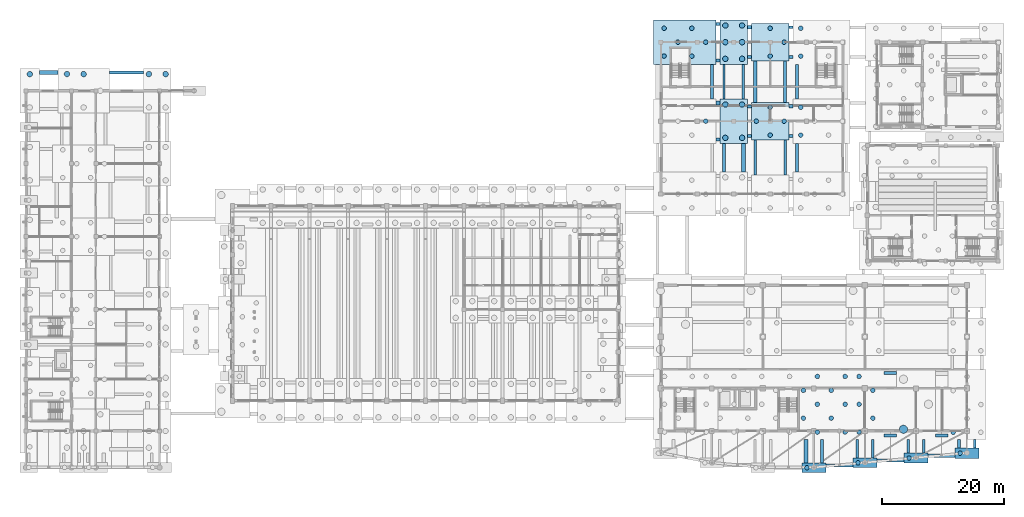
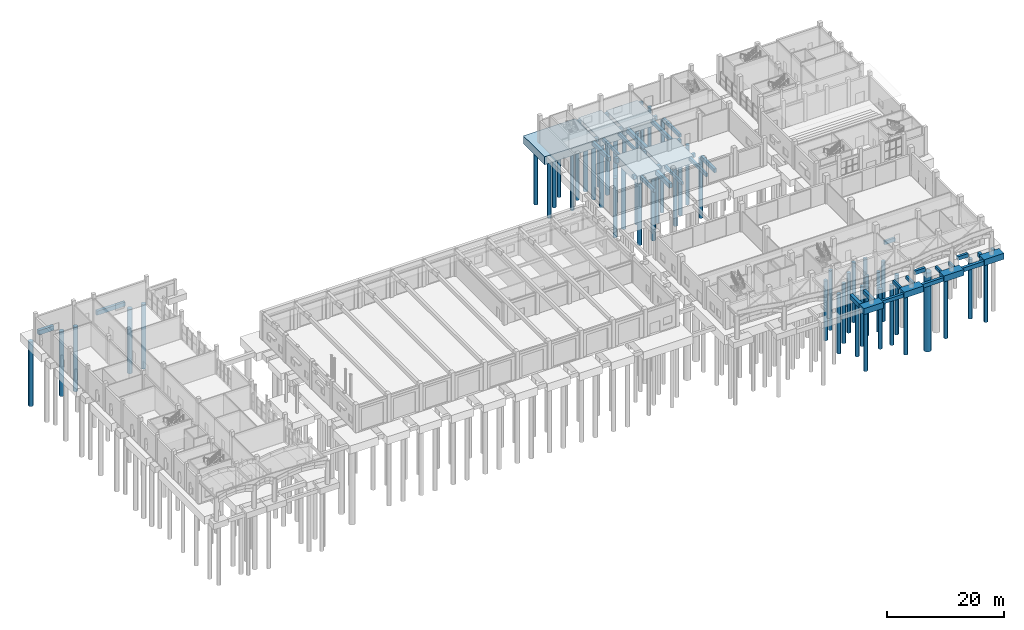
# One storey, part 6 of 60: 54 piles, 48 footings.
"""IFC4 building model written with IfcOpenShell, lengths in metres."""

from ifc_helpers import new_model, si_unit, direction, frame, origin, origin_2d, place, context, subcontext, project, spatial, rectangle, circle, extrude, material, material_profile, profile_set, type_object, element, save


model = new_model("IFC4")

# Units and contexts
model_context = context("Model", 3, precision=1e-05, world=origin(), true_north=direction((0.0, 1.0)))
body_context = subcontext(model_context, "Body", "Model", "MODEL_VIEW")
ifc_project = project(units=[si_unit("LENGTHUNIT", "METRE"), si_unit("AREAUNIT", "SQUARE_METRE"), si_unit("VOLUMEUNIT", "CUBIC_METRE"), si_unit("PLANEANGLEUNIT", "RADIAN"), si_unit("MASSUNIT", "GRAM", prefix="KILO")], contexts=[model_context])

# Site, building, storey
site_placement = place(None, origin())
site = spatial("IfcSite", under=ifc_project, at=site_placement, CompositionType="ELEMENT")
building_placement = place(site_placement, origin())
building = spatial("IfcBuilding", under=site, at=building_placement, Name="Trellovar Central Fire Station", CompositionType="ELEMENT")
storey_placement = place(building_placement, origin())
storey = spatial("IfcBuildingStorey", under=building, at=storey_placement, Name="L01", CompositionType="ELEMENT", Elevation=0.0)

# Footings
ifc_material_1 = material(Name="Concrete C35/45", Category="concrete")
footing_type_1 = type_object("IfcFootingType", Name="CAP-PC06", PredefinedType="PILE_CAP", material=ifc_material_1)
for number, where, z_axis, x_axis, name in (
    (1, (130.699951171875, 2.955078125, -1.25), (0.0, 0.0, 1.0), (1.0, 0.0, 0.0), "Pile cap PC-06 at (130.7, 3.0)"),
    (2, (139.10009765625, 3.7548828125, -1.25), (0.0, 0.0, 1.0), (1.0, 0.0, 0.0), "Pile cap PC-06 at (139.1, 3.8)"),
    (3, (147.5, 4.554931640625, -1.25), (0.0, 0.0, 1.0), (1.0, 0.0, 0.0), "Pile cap PC-06 at (147.5, 4.6)"),
):
    element("IfcFooting", number, at=place(storey_placement, frame(where, z_axis=z_axis, x_axis=x_axis)), inside=storey, type_object=footing_type_1, Name=name, PredefinedType="PILE_CAP", context=body_context, shape_type="SweptSolid", body=[
        extrude(rectangle(XDim=3.89990234375, YDim=1.60009765625, at=origin_2d()), origin(), (0.0, 0.0, 1.0), 1.25),
    ])
ifc_material_2 = material(Name="Concrete C35/45", Category="concrete")
footing_type_2 = type_object("IfcFootingType", Name="CAP-PC12", PredefinedType="PILE_CAP", material=ifc_material_2)
footing_1_placement = place(storey_placement, frame((117.5, 60.0, -2.050048828125), z_axis=(0.0, 0.0, 1.0), x_axis=(1.0, 0.0, 0.0)))
element("IfcFooting", 4, at=footing_1_placement, inside=storey, type_object=footing_type_2, Name="Pile cap PC-12 at (117.5, 60.0)", PredefinedType="PILE_CAP", context=body_context, shape_type="SweptSolid", body=[
    extrude(rectangle(XDim=4.5, YDim=7.300048828125, at=origin_2d()), origin(), (0.0, 0.0, 1.0), 1.64990234375),
])
ifc_material_3 = material(Name="Concrete C35/45", Category="concrete")
footing_type_3 = type_object("IfcFootingType", Name="CAP-PC27", PredefinedType="PILE_CAP", material=ifc_material_3)
footing_2_placement = place(storey_placement, frame((155.89990234375, 5.35498046875, -1.25), z_axis=(0.0, 0.0, 1.0), x_axis=(1.0, 0.0, 0.0)))
element("IfcFooting", 5, at=footing_2_placement, inside=storey, type_object=footing_type_3, Name="Pile cap PC-27 at (155.9, 5.4)", PredefinedType="PILE_CAP", context=body_context, shape_type="SweptSolid", body=[
    extrude(rectangle(XDim=3.89990234375, YDim=1.699951171875, at=origin_2d()), origin(), (0.0, 0.0, 1.0), 1.25),
])
ifc_material_4 = material(Name="Concrete C35/45", Category="concrete")
footing_type_4 = type_object("IfcFootingType", Name="CAP-PC31", PredefinedType="PILE_CAP", material=ifc_material_4)
footing_3_placement = place(storey_placement, frame((109.462890625, 73.0, -2.050048828125), z_axis=(0.0, 0.0, 1.0), x_axis=(1.0, 0.0, 0.0)))
element("IfcFooting", 6, at=footing_3_placement, inside=storey, type_object=footing_type_4, Name="Pile cap PC-31 at (109.5, 73.0)", PredefinedType="PILE_CAP", context=body_context, shape_type="SweptSolid", body=[
    extrude(rectangle(XDim=10.300048828125, YDim=7.300048828125, at=origin_2d()), origin(), (0.0, 0.0, 1.0), 1.64990234375),
])
ifc_material_5 = material(Name="Concrete C35/45", Category="concrete")
footing_type_5 = type_object("IfcFootingType", Name="CAP-PC32", PredefinedType="PILE_CAP", material=ifc_material_5)
footing_4_placement = place(storey_placement, frame((117.5, 73.0, -2.050048828125), z_axis=(0.0, 0.0, 1.0), x_axis=(1.0, 0.0, 0.0)))
element("IfcFooting", 7, at=footing_4_placement, inside=storey, type_object=footing_type_5, Name="Pile cap PC-32 at (117.5, 73.0)", PredefinedType="PILE_CAP", context=body_context, shape_type="SweptSolid", body=[
    extrude(rectangle(XDim=4.5, YDim=7.300048828125, at=origin_2d()), origin(), (0.0, 0.0, 1.0), 1.64990234375),
])
ifc_material_6 = material(Name="Concrete C35/45", Category="concrete")
footing_type_6 = type_object("IfcFootingType", Name="CAP-PC34", PredefinedType="PILE_CAP", material=ifc_material_6)
footing_5_placement = place(storey_placement, frame((123.5, 60.0, -1.9501953125), z_axis=(0.0, 0.0, 1.0), x_axis=(1.0, 0.0, 0.0)))
element("IfcFooting", 8, at=footing_5_placement, inside=storey, type_object=footing_type_6, Name="Pile cap PC-34 at (123.5, 60.0)", PredefinedType="PILE_CAP", context=body_context, shape_type="SweptSolid", body=[
    extrude(rectangle(XDim=6.199951171875, YDim=6.199951171875, at=origin_2d()), origin(), (0.0, 0.0, 1.0), 1.550048828125),
])
ifc_material_7 = material(Name="Concrete C35/45", Category="concrete")
footing_type_7 = type_object("IfcFootingType", Name="CAP-PC35", PredefinedType="PILE_CAP", material=ifc_material_7)
footing_6_placement = place(storey_placement, frame((123.5, 73.0, -1.9501953125), z_axis=(0.0, 0.0, 1.0), x_axis=(1.0, 0.0, 0.0)))
element("IfcFooting", 9, at=footing_6_placement, inside=storey, type_object=footing_type_7, Name="Pile cap PC-35 at (123.5, 73.0)", PredefinedType="PILE_CAP", context=body_context, shape_type="SweptSolid", body=[
    extrude(rectangle(XDim=6.199951171875, YDim=6.199951171875, at=origin_2d()), origin(), (0.0, 0.0, 1.0), 1.550048828125),
])
ifc_material_8 = material(Name="Concrete C35/45", Category="concrete")
ifc_material_profile_1 = material_profile(ifc_material_8, rectangle(XDim=0.5, YDim=0.800048828125, at=origin_2d()), Name="RC500X800")
ifc_profile_set_1 = profile_set([ifc_material_profile_1], Name="Concrete C35/45")
footing_type_8 = type_object("IfcFootingType", Name="FB-GB1", PredefinedType="FOOTING_BEAM", material=ifc_profile_set_1)
footing_7_placement = place(storey_placement, frame((142.2119140625, 8.251953125, -0.800048828125), z_axis=(1.0, 0.0, 0.0), x_axis=(0.0, 1.0, 0.0)))
element("IfcFooting", 10, at=footing_7_placement, inside=storey, type_object=footing_type_8, Name="Footing tie beam GB-159", PredefinedType="FOOTING_BEAM", context=body_context, shape_type="SweptSolid", body=[
    extrude(rectangle(XDim=0.5, YDim=0.800048828125, at=origin_2d()), origin(), (0.0, 0.0, 1.0), 2.088134765625),
])
footing_8_placement = place(storey_placement, frame((113.962890625, 63.64990234375, -0.800048828125), z_axis=(0.0, 1.0, 0.0), x_axis=(-1.0, 0.0, 0.0)))
element("IfcFooting", 11, at=footing_8_placement, inside=storey, type_object=footing_type_8, Name="Footing tie beam GB-178", PredefinedType="FOOTING_BEAM", context=body_context, shape_type="SweptSolid", body=[
    extrude(rectangle(XDim=0.5, YDim=0.800048828125, at=origin_2d()), origin(), (0.0, 0.0, 1.0), 5.7001953125),
])
footing_9_placement = place(storey_placement, frame((114.613037109375, 70.0, -0.800048828125), z_axis=(1.0, 0.0, 0.0), x_axis=(0.0, 1.0, 0.0)))
element("IfcFooting", 12, at=footing_9_placement, inside=storey, type_object=footing_type_8, Name="Footing tie beam GB-179", PredefinedType="FOOTING_BEAM", context=body_context, shape_type="SweptSolid", body=[
    extrude(rectangle(XDim=0.5, YDim=0.800048828125, at=origin_2d()), origin(), (0.0, 0.0, 1.0), 0.636962890625),
])
footing_10_placement = place(storey_placement, frame((119.75, 62.449951171875, -0.800048828125), z_axis=(1.0, 0.0, 0.0), x_axis=(0.0, 1.0, 0.0)))
element("IfcFooting", 13, at=footing_10_placement, inside=storey, type_object=footing_type_8, Name="Footing tie beam GB-189", PredefinedType="FOOTING_BEAM", context=body_context, shape_type="SweptSolid", body=[
    extrude(rectangle(XDim=0.5, YDim=0.800048828125, at=origin_2d()), origin(), (0.0, 0.0, 1.0), 0.64990234375),
])
footing_11_placement = place(storey_placement, frame((125.949951171875, 63.10009765625, -0.800048828125), z_axis=(0.0, 1.0, 0.0), x_axis=(-1.0, 0.0, 0.0)))
element("IfcFooting", 14, at=footing_11_placement, inside=storey, type_object=footing_type_8, Name="Footing tie beam GB-211", PredefinedType="FOOTING_BEAM", context=body_context, shape_type="SweptSolid", body=[
    extrude(rectangle(XDim=0.5, YDim=0.800048828125, at=origin_2d()), origin(), (0.0, 0.0, 1.0), 6.7998046875),
])
footing_12_placement = place(storey_placement, frame((126.60009765625, 70.550048828125, -0.800048828125), z_axis=(1.0, 0.0, 0.0), x_axis=(0.0, 1.0, 0.0)))
element("IfcFooting", 15, at=footing_12_placement, inside=storey, type_object=footing_type_8, Name="Footing tie beam GB-212", PredefinedType="FOOTING_BEAM", context=body_context, shape_type="SweptSolid", body=[
    extrude(rectangle(XDim=0.5, YDim=0.800048828125, at=origin_2d()), origin(), (0.0, 0.0, 1.0), 0.659912109375),
])
footing_13_placement = place(storey_placement, frame((127.909912109375, 51.64990234375, -0.800048828125), z_axis=(0.0, 1.0, 0.0), x_axis=(-1.0, 0.0, 0.0)))
element("IfcFooting", 16, at=footing_13_placement, inside=storey, type_object=footing_type_8, Name="Footing tie beam GB-215", PredefinedType="FOOTING_BEAM", context=body_context, shape_type="SweptSolid", body=[
    extrude(rectangle(XDim=0.5, YDim=0.800048828125, at=origin_2d()), origin(), (0.0, 0.0, 1.0), 4.7001953125),
])
footing_14_placement = place(storey_placement, frame((132.0, 3.7548828125, -0.800048828125), z_axis=(0.0, 1.0, 0.0), x_axis=(-1.0, 0.0, 0.0)))
element("IfcFooting", 17, at=footing_14_placement, inside=storey, type_object=footing_type_8, Name="Footing tie beam GB-225", PredefinedType="FOOTING_BEAM", context=body_context, shape_type="SweptSolid", body=[
    extrude(rectangle(XDim=0.5, YDim=0.800048828125, at=origin_2d()), origin(), (0.0, 0.0, 1.0), 3.84716796875),
])
footing_15_placement = place(storey_placement, frame((141.050048828125, 4.155029296875, -0.800048828125), z_axis=(1.0, 0.0, 0.0), x_axis=(0.0, 1.0, 0.0)))
element("IfcFooting", 18, at=footing_15_placement, inside=storey, type_object=footing_type_8, Name="Footing tie beam GB-226", PredefinedType="FOOTING_BEAM", context=body_context, shape_type="SweptSolid", body=[
    extrude(rectangle(XDim=0.5, YDim=0.800048828125, at=origin_2d()), origin(), (0.0, 0.0, 1.0), 4.5),
])
footing_16_placement = place(storey_placement, frame((154.60009765625, 6.205078125, -0.800048828125), z_axis=(0.0, 1.0, 0.0), x_axis=(-1.0, 0.0, 0.0)))
element("IfcFooting", 19, at=footing_16_placement, inside=storey, type_object=footing_type_8, Name="Footing tie beam GB-252", PredefinedType="FOOTING_BEAM", context=body_context, shape_type="SweptSolid", body=[
    extrude(rectangle(XDim=0.5, YDim=0.800048828125, at=origin_2d()), origin(), (0.0, 0.0, 1.0), 1.407958984375),
])
ifc_material_9 = material(Name="Concrete C35/45", Category="concrete")
ifc_material_profile_2 = material_profile(ifc_material_9, rectangle(XDim=0.60009765625, YDim=0.949951171875, at=origin_2d()), Name="RC600X950")
ifc_profile_set_2 = profile_set([ifc_material_profile_2], Name="Concrete C35/45")
footing_type_9 = type_object("IfcFootingType", Name="FB-GB2", PredefinedType="FOOTING_BEAM", material=ifc_profile_set_2)
footing_17_placement = place(storey_placement, frame((3.239990234375, 68.0, -0.875), z_axis=(1.0, 0.0, 0.0), x_axis=(0.0, 1.0, 0.0)))
element("IfcFooting", 20, at=footing_17_placement, inside=storey, type_object=footing_type_9, Name="Footing tie beam GB-021", PredefinedType="FOOTING_BEAM", context=body_context, shape_type="SweptSolid", body=[
    extrude(rectangle(XDim=0.60009765625, YDim=0.949951171875, at=origin_2d()), origin(), (0.0, 0.0, 1.0), 3.010009765625),
])
footing_18_placement = place(storey_placement, frame((114.613037109375, 63.0, -0.875), z_axis=(1.0, 0.0, 0.0), x_axis=(0.0, 1.0, 0.0)))
element("IfcFooting", 21, at=footing_18_placement, inside=storey, type_object=footing_type_9, Name="Footing tie beam GB-176", PredefinedType="FOOTING_BEAM", context=body_context, shape_type="SweptSolid", body=[
    extrude(rectangle(XDim=0.60009765625, YDim=0.949951171875, at=origin_2d()), origin(), (0.0, 0.0, 1.0), 0.636962890625),
])
footing_19_placement = place(storey_placement, frame((119.10009765625, 51.64990234375, -0.875), z_axis=(0.0, 1.0, 0.0), x_axis=(-1.0, 0.0, 0.0)))
element("IfcFooting", 22, at=footing_19_placement, inside=storey, type_object=footing_type_9, Name="Footing tie beam GB-187", PredefinedType="FOOTING_BEAM", context=body_context, shape_type="SweptSolid", body=[
    extrude(rectangle(XDim=0.60009765625, YDim=0.949951171875, at=origin_2d()), origin(), (0.0, 0.0, 1.0), 4.7001953125),
])
footing_20_placement = place(storey_placement, frame((119.75, 75.449951171875, -0.875), z_axis=(1.0, 0.0, 0.0), x_axis=(0.0, 1.0, 0.0)))
element("IfcFooting", 23, at=footing_20_placement, inside=storey, type_object=footing_type_9, Name="Footing tie beam GB-193", PredefinedType="FOOTING_BEAM", context=body_context, shape_type="SweptSolid", body=[
    extrude(rectangle(XDim=0.60009765625, YDim=0.949951171875, at=origin_2d()), origin(), (0.0, 0.0, 1.0), 0.64990234375),
])
footing_21_placement = place(storey_placement, frame((126.60009765625, 62.449951171875, -0.875), z_axis=(1.0, 0.0, 0.0), x_axis=(0.0, 1.0, 0.0)))
element("IfcFooting", 24, at=footing_21_placement, inside=storey, type_object=footing_type_9, Name="Footing tie beam GB-209", PredefinedType="FOOTING_BEAM", context=body_context, shape_type="SweptSolid", body=[
    extrude(rectangle(XDim=0.60009765625, YDim=0.949951171875, at=origin_2d()), origin(), (0.0, 0.0, 1.0), 0.659912109375),
])
footing_22_placement = place(storey_placement, frame((121.050048828125, 63.10009765625, -0.875), z_axis=(0.0, 1.0, 0.0), x_axis=(-1.0, 0.0, 0.0)))
element("IfcFooting", 25, at=footing_22_placement, inside=storey, type_object=footing_type_9, Name="Footing tie beam GB-210", PredefinedType="FOOTING_BEAM", context=body_context, shape_type="SweptSolid", body=[
    extrude(rectangle(XDim=0.60009765625, YDim=0.949951171875, at=origin_2d()), origin(), (0.0, 0.0, 1.0), 6.7998046875),
])
footing_23_placement = place(storey_placement, frame((129.39990234375, 3.7548828125, -0.875), z_axis=(0.0, 1.0, 0.0), x_axis=(-1.0, 0.0, 0.0)))
element("IfcFooting", 26, at=footing_23_placement, inside=storey, type_object=footing_type_9, Name="Footing tie beam GB-224", PredefinedType="FOOTING_BEAM", context=body_context, shape_type="SweptSolid", body=[
    extrude(rectangle(XDim=0.60009765625, YDim=0.949951171875, at=origin_2d()), origin(), (0.0, 0.0, 1.0), 3.84716796875),
])
ifc_material_10 = material(Name="Concrete C35/45", Category="concrete")
ifc_material_profile_3 = material_profile(ifc_material_10, rectangle(XDim=0.449951171875, YDim=0.75, at=origin_2d()), Name="RC450X750")
ifc_profile_set_3 = profile_set([ifc_material_profile_3], Name="Concrete C35/45")
footing_type_10 = type_object("IfcFootingType", Name="FB-GB3", PredefinedType="FOOTING_BEAM", material=ifc_profile_set_3)
footing_24_placement = place(storey_placement, frame((142.2119140625, 18.552001953125, -0.77490234375), z_axis=(1.0, 0.0, 0.0), x_axis=(0.0, 1.0, 0.0)))
element("IfcFooting", 27, at=footing_24_placement, inside=storey, type_object=footing_type_10, Name="Footing tie beam GB-160", PredefinedType="FOOTING_BEAM", context=body_context, shape_type="SweptSolid", body=[
    extrude(rectangle(XDim=0.449951171875, YDim=0.75, at=origin_2d()), origin(), (0.0, 0.0, 1.0), 2.088134765625),
])
footing_25_placement = place(storey_placement, frame((114.613037109375, 76.0, -0.77490234375), z_axis=(1.0, 0.0, 0.0), x_axis=(0.0, 1.0, 0.0)))
element("IfcFooting", 28, at=footing_25_placement, inside=storey, type_object=footing_type_10, Name="Footing tie beam GB-180", PredefinedType="FOOTING_BEAM", context=body_context, shape_type="SweptSolid", body=[
    extrude(rectangle(XDim=0.449951171875, YDim=0.75, at=origin_2d()), origin(), (0.0, 0.0, 1.0), 0.636962890625),
])
footing_26_placement = place(storey_placement, frame((126.60009765625, 75.449951171875, -0.77490234375), z_axis=(1.0, 0.0, 0.0), x_axis=(0.0, 1.0, 0.0)))
element("IfcFooting", 29, at=footing_26_placement, inside=storey, type_object=footing_type_10, Name="Footing tie beam GB-213", PredefinedType="FOOTING_BEAM", context=body_context, shape_type="SweptSolid", body=[
    extrude(rectangle(XDim=0.449951171875, YDim=0.75, at=origin_2d()), origin(), (0.0, 0.0, 1.0), 0.659912109375),
])
ifc_material_11 = material(Name="Concrete C35/45", Category="concrete")
ifc_material_profile_4 = material_profile(ifc_material_11, rectangle(XDim=0.39990234375, YDim=0.64990234375, at=origin_2d()), Name="RC400X650")
ifc_profile_set_4 = profile_set([ifc_material_profile_4], Name="Concrete C35/45")
footing_type_11 = type_object("IfcFootingType", Name="FB-GB4", PredefinedType="FOOTING_BEAM", material=ifc_profile_set_4)
footing_27_placement = place(storey_placement, frame((119.10009765625, 63.64990234375, -0.72509765625), z_axis=(0.0, 1.0, 0.0), x_axis=(-1.0, 0.0, 0.0)))
element("IfcFooting", 30, at=footing_27_placement, inside=storey, type_object=footing_type_11, Name="Footing tie beam GB-191", PredefinedType="FOOTING_BEAM", context=body_context, shape_type="SweptSolid", body=[
    extrude(rectangle(XDim=0.39990234375, YDim=0.64990234375, at=origin_2d()), origin(), (0.0, 0.0, 1.0), 5.7001953125),
])
footing_28_placement = place(storey_placement, frame((125.949951171875, 51.10009765625, -0.72509765625), z_axis=(0.0, 1.0, 0.0), x_axis=(-1.0, 0.0, 0.0)))
element("IfcFooting", 31, at=footing_28_placement, inside=storey, type_object=footing_type_11, Name="Footing tie beam GB-207", PredefinedType="FOOTING_BEAM", context=body_context, shape_type="SweptSolid", body=[
    extrude(rectangle(XDim=0.39990234375, YDim=0.64990234375, at=origin_2d()), origin(), (0.0, 0.0, 1.0), 5.7998046875),
])
footing_29_placement = place(storey_placement, frame((137.800048828125, 4.554931640625, -0.72509765625), z_axis=(0.0, 1.0, 0.0), x_axis=(-1.0, 0.0, 0.0)))
element("IfcFooting", 32, at=footing_29_placement, inside=storey, type_object=footing_type_11, Name="Footing tie beam GB-227", PredefinedType="FOOTING_BEAM", context=body_context, shape_type="SweptSolid", body=[
    extrude(rectangle(XDim=0.39990234375, YDim=0.64990234375, at=origin_2d()), origin(), (0.0, 0.0, 1.0), 3.047119140625),
])
footing_30_placement = place(storey_placement, frame((148.800048828125, 5.35498046875, -0.72509765625), z_axis=(0.0, 1.0, 0.0), x_axis=(-1.0, 0.0, 0.0)))
element("IfcFooting", 33, at=footing_30_placement, inside=storey, type_object=footing_type_11, Name="Footing tie beam GB-249", PredefinedType="FOOTING_BEAM", context=body_context, shape_type="SweptSolid", body=[
    extrude(rectangle(XDim=0.39990234375, YDim=0.64990234375, at=origin_2d()), origin(), (0.0, 0.0, 1.0), 2.2470703125),
])
ifc_material_12 = material(Name="Concrete C35/45", Category="concrete")
ifc_material_profile_5 = material_profile(ifc_material_12, rectangle(XDim=0.550048828125, YDim=0.85009765625, at=origin_2d()), Name="RC550X850")
ifc_profile_set_5 = profile_set([ifc_material_profile_5], Name="Concrete C35/45")
footing_type_12 = type_object("IfcFootingType", Name="FB-GB5", PredefinedType="FOOTING_BEAM", material=ifc_profile_set_5)
footing_31_placement = place(storey_placement, frame((14.75, 68.0, -0.824951171875), z_axis=(1.0, 0.0, 0.0), x_axis=(0.0, 1.0, 0.0)))
element("IfcFooting", 34, at=footing_31_placement, inside=storey, type_object=footing_type_12, Name="Footing tie beam GB-043", PredefinedType="FOOTING_BEAM", context=body_context, shape_type="SweptSolid", body=[
    extrude(rectangle(XDim=0.550048828125, YDim=0.85009765625, at=origin_2d()), origin(), (0.0, 0.0, 1.0), 5.6201171875),
])
footing_32_placement = place(storey_placement, frame((119.75, 57.550048828125, -0.824951171875), z_axis=(1.0, 0.0, 0.0), x_axis=(0.0, 1.0, 0.0)))
element("IfcFooting", 35, at=footing_32_placement, inside=storey, type_object=footing_type_12, Name="Footing tie beam GB-188", PredefinedType="FOOTING_BEAM", context=body_context, shape_type="SweptSolid", body=[
    extrude(rectangle(XDim=0.550048828125, YDim=0.85009765625, at=origin_2d()), origin(), (0.0, 0.0, 1.0), 0.64990234375),
])
footing_33_placement = place(storey_placement, frame((149.449951171875, 4.929931640625, -0.824951171875), z_axis=(1.0, 0.0, 0.0), x_axis=(0.0, 1.0, 0.0)))
element("IfcFooting", 36, at=footing_33_placement, inside=storey, type_object=footing_type_12, Name="Footing tie beam GB-247", PredefinedType="FOOTING_BEAM", context=body_context, shape_type="SweptSolid", body=[
    extrude(rectangle(XDim=0.550048828125, YDim=0.85009765625, at=origin_2d()), origin(), (0.0, 0.0, 1.0), 4.5),
])
ifc_material_13 = material(Name="Concrete C35/45", Category="concrete")
ifc_material_profile_6 = material_profile(ifc_material_13, rectangle(XDim=0.5, YDim=0.75, at=origin_2d()), Name="RC500X750")
ifc_profile_set_6 = profile_set([ifc_material_profile_6], Name="Concrete C35/45")
footing_type_13 = type_object("IfcFootingType", Name="FB-GB6", PredefinedType="FOOTING_BEAM", material=ifc_profile_set_6)
footing_34_placement = place(storey_placement, frame((114.613037109375, 57.0, -0.77490234375), z_axis=(1.0, 0.0, 0.0), x_axis=(0.0, 1.0, 0.0)))
element("IfcFooting", 37, at=footing_34_placement, inside=storey, type_object=footing_type_13, Name="Footing tie beam GB-175", PredefinedType="FOOTING_BEAM", context=body_context, shape_type="SweptSolid", body=[
    extrude(rectangle(XDim=0.5, YDim=0.75, at=origin_2d()), origin(), (0.0, 0.0, 1.0), 0.636962890625),
])
footing_35_placement = place(storey_placement, frame((119.75, 70.550048828125, -0.77490234375), z_axis=(1.0, 0.0, 0.0), x_axis=(0.0, 1.0, 0.0)))
element("IfcFooting", 38, at=footing_35_placement, inside=storey, type_object=footing_type_13, Name="Footing tie beam GB-192", PredefinedType="FOOTING_BEAM", context=body_context, shape_type="SweptSolid", body=[
    extrude(rectangle(XDim=0.5, YDim=0.75, at=origin_2d()), origin(), (0.0, 0.0, 1.0), 0.64990234375),
])
footing_36_placement = place(storey_placement, frame((126.60009765625, 57.550048828125, -0.77490234375), z_axis=(1.0, 0.0, 0.0), x_axis=(0.0, 1.0, 0.0)))
element("IfcFooting", 39, at=footing_36_placement, inside=storey, type_object=footing_type_13, Name="Footing tie beam GB-208", PredefinedType="FOOTING_BEAM", context=body_context, shape_type="SweptSolid", body=[
    extrude(rectangle(XDim=0.5, YDim=0.75, at=origin_2d()), origin(), (0.0, 0.0, 1.0), 0.659912109375),
])
footing_37_placement = place(storey_placement, frame((132.64990234375, 3.35498046875, -0.77490234375), z_axis=(1.0, 0.0, 0.0), x_axis=(0.0, 1.0, 0.0)))
element("IfcFooting", 40, at=footing_37_placement, inside=storey, type_object=footing_type_13, Name="Footing tie beam GB-223", PredefinedType="FOOTING_BEAM", context=body_context, shape_type="SweptSolid", body=[
    extrude(rectangle(XDim=0.5, YDim=0.75, at=origin_2d()), origin(), (0.0, 0.0, 1.0), 4.5),
])
footing_38_placement = place(storey_placement, frame((150.699951171875, 8.262939453125, -0.77490234375), z_axis=(1.0, 0.0, 0.0), x_axis=(0.0, 1.0, 0.0)))
element("IfcFooting", 41, at=footing_38_placement, inside=storey, type_object=footing_type_13, Name="Footing tie beam GB-250", PredefinedType="FOOTING_BEAM", context=body_context, shape_type="SweptSolid", body=[
    extrude(rectangle(XDim=0.5, YDim=0.75, at=origin_2d()), origin(), (0.0, 0.0, 1.0), 2.10009765625),
])
ifc_material_14 = material(Name="Concrete C35/45", Category="concrete")
ifc_material_profile_7 = material_profile(ifc_material_14, rectangle(XDim=0.449951171875, YDim=0.699951171875, at=origin_2d()), Name="RC450X700")
ifc_profile_set_7 = profile_set([ifc_material_profile_7], Name="Concrete C35/45")
footing_type_14 = type_object("IfcFootingType", Name="FB-GB7", PredefinedType="FOOTING_BEAM", material=ifc_profile_set_7)
footing_39_placement = place(storey_placement, frame((115.89990234375, 51.64990234375, -0.75), z_axis=(0.0, 1.0, 0.0), x_axis=(-1.0, 0.0, 0.0)))
element("IfcFooting", 42, at=footing_39_placement, inside=storey, type_object=footing_type_14, Name="Footing tie beam GB-186", PredefinedType="FOOTING_BEAM", context=body_context, shape_type="SweptSolid", body=[
    extrude(rectangle(XDim=0.449951171875, YDim=0.699951171875, at=origin_2d()), origin(), (0.0, 0.0, 1.0), 4.7001953125),
])
footing_40_placement = place(storey_placement, frame((127.909912109375, 63.64990234375, -0.75), z_axis=(0.0, 1.0, 0.0), x_axis=(-1.0, 0.0, 0.0)))
element("IfcFooting", 43, at=footing_40_placement, inside=storey, type_object=footing_type_14, Name="Footing tie beam GB-219", PredefinedType="FOOTING_BEAM", context=body_context, shape_type="SweptSolid", body=[
    extrude(rectangle(XDim=0.449951171875, YDim=0.699951171875, at=origin_2d()), origin(), (0.0, 0.0, 1.0), 5.7001953125),
])
footing_41_placement = place(storey_placement, frame((140.39990234375, 4.554931640625, -0.75), z_axis=(0.0, 1.0, 0.0), x_axis=(-1.0, 0.0, 0.0)))
element("IfcFooting", 44, at=footing_41_placement, inside=storey, type_object=footing_type_14, Name="Footing tie beam GB-228", PredefinedType="FOOTING_BEAM", context=body_context, shape_type="SweptSolid", body=[
    extrude(rectangle(XDim=0.449951171875, YDim=0.699951171875, at=origin_2d()), origin(), (0.0, 0.0, 1.0), 3.047119140625),
])
ifc_material_15 = material(Name="Concrete C35/45", Category="concrete")
ifc_material_profile_8 = material_profile(ifc_material_15, rectangle(XDim=0.39990234375, YDim=0.60009765625, at=origin_2d()), Name="RC400X600")
ifc_profile_set_8 = profile_set([ifc_material_profile_8], Name="Concrete C35/45")
footing_type_15 = type_object("IfcFootingType", Name="FB-GB8", PredefinedType="FOOTING_BEAM", material=ifc_profile_set_8)
footing_42_placement = place(storey_placement, frame((115.89990234375, 63.64990234375, -0.699951171875), z_axis=(0.0, 1.0, 0.0), x_axis=(-1.0, 0.0, 0.0)))
element("IfcFooting", 45, at=footing_42_placement, inside=storey, type_object=footing_type_15, Name="Footing tie beam GB-190", PredefinedType="FOOTING_BEAM", context=body_context, shape_type="SweptSolid", body=[
    extrude(rectangle(XDim=0.39990234375, YDim=0.60009765625, at=origin_2d()), origin(), (0.0, 0.0, 1.0), 5.7001953125),
])
footing_43_placement = place(storey_placement, frame((121.050048828125, 51.10009765625, -0.699951171875), z_axis=(0.0, 1.0, 0.0), x_axis=(-1.0, 0.0, 0.0)))
element("IfcFooting", 46, at=footing_43_placement, inside=storey, type_object=footing_type_15, Name="Footing tie beam GB-206", PredefinedType="FOOTING_BEAM", context=body_context, shape_type="SweptSolid", body=[
    extrude(rectangle(XDim=0.39990234375, YDim=0.60009765625, at=origin_2d()), origin(), (0.0, 0.0, 1.0), 5.7998046875),
])
footing_44_placement = place(storey_placement, frame((146.199951171875, 5.35498046875, -0.699951171875), z_axis=(0.0, 1.0, 0.0), x_axis=(-1.0, 0.0, 0.0)))
element("IfcFooting", 47, at=footing_44_placement, inside=storey, type_object=footing_type_15, Name="Footing tie beam GB-248", PredefinedType="FOOTING_BEAM", context=body_context, shape_type="SweptSolid", body=[
    extrude(rectangle(XDim=0.39990234375, YDim=0.60009765625, at=origin_2d()), origin(), (0.0, 0.0, 1.0), 2.2470703125),
])
footing_45_placement = place(storey_placement, frame((157.199951171875, 6.205078125, -0.699951171875), z_axis=(0.0, 1.0, 0.0), x_axis=(-1.0, 0.0, 0.0)))
element("IfcFooting", 48, at=footing_45_placement, inside=storey, type_object=footing_type_15, Name="Footing tie beam GB-253", PredefinedType="FOOTING_BEAM", context=body_context, shape_type="SweptSolid", body=[
    extrude(rectangle(XDim=0.39990234375, YDim=0.60009765625, at=origin_2d()), origin(), (0.0, 0.0, 1.0), 1.407958984375),
])

# Piles
ifc_material_16 = material(Name="Concrete C35/45", Category="concrete")
ifc_material_profile_9 = material_profile(ifc_material_16, circle(Radius=0.375, at=origin_2d()), Name="PILE750")
ifc_profile_set_9 = profile_set([ifc_material_profile_9], Name="Concrete C35/45")
pile_type_1 = type_object("IfcPileType", Name="PILE-BP1", PredefinedType="BORED", material=ifc_profile_set_9)
for number, where, z_axis, x_axis, name in (
    (49, (128.97900390625, 11.114990234375, -2.25), (0.0, 0.0, -1.0), (1.0, 0.0, 0.0), "Bored pile FNDBP3-061-27"),
    (50, (128.97900390625, 15.68896484375, -2.25), (0.0, 0.0, -1.0), (1.0, 0.0, 0.0), "Bored pile FNDBP3-061-28"),
    (51, (131.26708984375, 8.827880859375, -2.25), (0.0, 0.0, -1.0), (1.0, 0.0, 0.0), "Bored pile FNDBP3-061-29"),
    (52, (131.26708984375, 13.402099609375, -2.25), (0.0, 0.0, -1.0), (1.0, 0.0, 0.0), "Bored pile FNDBP3-061-30"),
    (53, (131.26708984375, 17.97607421875, -2.25), (0.0, 0.0, -1.0), (1.0, 0.0, 0.0), "Bored pile FNDBP3-061-31"),
    (54, (133.552978515625, 11.114990234375, -2.25), (0.0, 0.0, -1.0), (1.0, 0.0, 0.0), "Bored pile FNDBP3-061-32"),
    (55, (133.552978515625, 15.68896484375, -2.25), (0.0, 0.0, -1.0), (1.0, 0.0, 0.0), "Bored pile FNDBP3-061-33"),
    (56, (135.840087890625, 8.827880859375, -2.25), (0.0, 0.0, -1.0), (1.0, 0.0, 0.0), "Bored pile FNDBP3-061-34"),
    (57, (135.840087890625, 13.402099609375, -2.25), (0.0, 0.0, -1.0), (1.0, 0.0, 0.0), "Bored pile FNDBP3-061-35"),
    (58, (135.840087890625, 17.97607421875, -2.25), (0.0, 0.0, -1.0), (1.0, 0.0, 0.0), "Bored pile FNDBP3-061-36"),
    (59, (138.1279296875, 8.827880859375, -2.25), (0.0, 0.0, -1.0), (1.0, 0.0, 0.0), "Bored pile FNDBP3-061-37"),
    (60, (138.1279296875, 13.402099609375, -2.25), (0.0, 0.0, -1.0), (1.0, 0.0, 0.0), "Bored pile FNDBP3-061-38"),
    (61, (138.1279296875, 17.97607421875, -2.25), (0.0, 0.0, -1.0), (1.0, 0.0, 0.0), "Bored pile FNDBP3-061-39"),
    (62, (140.4140625, 11.114990234375, -2.25), (0.0, 0.0, -1.0), (1.0, 0.0, 0.0), "Bored pile FNDBP3-061-40"),
    (63, (140.4140625, 15.68896484375, -2.25), (0.0, 0.0, -1.0), (1.0, 0.0, 0.0), "Bored pile FNDBP3-061-41"),
    (64, (112.89306640625, 60.0, -1.949951171875), (0.0, 0.0, -1.0), (1.0, 0.0, 0.0), "Bored pile FNDBP3-065-06"),
    (65, (106.032958984375, 70.712890625, -1.949951171875), (0.0, 0.0, -1.0), (1.0, 0.0, 0.0), "Bored pile FNDBP3-066-01"),
    (66, (106.032958984375, 75.287109375, -1.949951171875), (0.0, 0.0, -1.0), (1.0, 0.0, 0.0), "Bored pile FNDBP3-066-02"),
    (67, (108.320068359375, 73.0, -1.949951171875), (0.0, 0.0, -1.0), (1.0, 0.0, 0.0), "Bored pile FNDBP3-066-03"),
    (68, (110.60595703125, 70.712890625, -1.949951171875), (0.0, 0.0, -1.0), (1.0, 0.0, 0.0), "Bored pile FNDBP3-066-04"),
    (69, (110.60595703125, 75.287109375, -1.949951171875), (0.0, 0.0, -1.0), (1.0, 0.0, 0.0), "Bored pile FNDBP3-066-05"),
    (70, (112.89306640625, 73.0, -1.949951171875), (0.0, 0.0, -1.0), (1.0, 0.0, 0.0), "Bored pile FNDBP3-066-06"),
    (71, (121.212890625, 60.0, -1.85009765625), (0.0, 0.0, -1.0), (1.0, 0.0, 0.0), "Bored pile FNDBP3-075-01"),
    (72, (123.5, 57.712890625, -1.85009765625), (0.0, 0.0, -1.0), (1.0, 0.0, 0.0), "Bored pile FNDBP3-075-02"),
    (73, (123.5, 62.287109375, -1.85009765625), (0.0, 0.0, -1.0), (1.0, 0.0, 0.0), "Bored pile FNDBP3-075-03"),
    (74, (125.787109375, 60.0, -1.85009765625), (0.0, 0.0, -1.0), (1.0, 0.0, 0.0), "Bored pile FNDBP3-075-04"),
    (75, (123.5, 70.712890625, -1.85009765625), (0.0, 0.0, -1.0), (1.0, 0.0, 0.0), "Bored pile FNDBP3-076-01"),
    (76, (123.5, 75.287109375, -1.85009765625), (0.0, 0.0, -1.0), (1.0, 0.0, 0.0), "Bored pile FNDBP3-076-02"),
    (77, (125.787109375, 73.0, -1.85009765625), (0.0, 0.0, -1.0), (1.0, 0.0, 0.0), "Bored pile FNDBP3-076-03"),
    (78, (128.530029296875, 57.712890625, -1.949951171875), (0.0, 0.0, -1.0), (1.0, 0.0, 0.0), "Bored pile FNDBP3-078-01"),
    (79, (128.530029296875, 62.287109375, -1.949951171875), (0.0, 0.0, -1.0), (1.0, 0.0, 0.0), "Bored pile FNDBP3-078-02"),
    (80, (128.530029296875, 70.712890625, -1.949951171875), (0.0, 0.0, -1.0), (1.0, 0.0, 0.0), "Bored pile FNDBP3-079-01"),
    (81, (128.530029296875, 75.287109375, -1.949951171875), (0.0, 0.0, -1.0), (1.0, 0.0, 0.0), "Bored pile FNDBP3-079-02"),
    (82, (129.556884765625, 2.955078125, -1.14990234375), (0.0, 0.0, -1.0), (1.0, 0.0, 0.0), "Bored pile FNDBP3-080-01"),
    (83, (137.95703125, 3.7548828125, -1.14990234375), (0.0, 0.0, -1.0), (1.0, 0.0, 0.0), "Bored pile FNDBP3-081-01"),
    (84, (146.35693359375, 4.554931640625, -1.14990234375), (0.0, 0.0, -1.0), (1.0, 0.0, 0.0), "Bored pile FNDBP3-089-01"),
    (85, (154.757080078125, 5.35498046875, -1.14990234375), (0.0, 0.0, -1.0), (1.0, 0.0, 0.0), "Bored pile FNDBP3-092-01"),
    (86, (153.613037109375, 8.7890625, -2.14990234375), (0.0, 0.0, -1.0), (1.0, 0.0, 0.0), "Bored pile FNDBP3-093-01"),
):
    element("IfcPile", number, at=place(storey_placement, frame(where, z_axis=z_axis, x_axis=x_axis)), inside=storey, type_object=pile_type_1, Name=name, PredefinedType="BORED", context=body_context, shape_type="SweptSolid", body=[
        extrude(circle(Radius=0.375, at=origin_2d()), origin(), (0.0, 0.0, 1.0), 12.5),
    ])
ifc_material_17 = material(Name="Concrete C35/45", Category="concrete")
ifc_material_profile_10 = material_profile(ifc_material_17, circle(Radius=0.449951171875, at=origin_2d()), Name="PILE900")
ifc_profile_set_10 = profile_set([ifc_material_profile_10], Name="Concrete C35/45")
pile_type_2 = type_object("IfcPileType", Name="PILE-BP2", PredefinedType="BORED", material=ifc_profile_set_10)
for number, where, z_axis, x_axis, name in (
    (87, (1.639892578125, 67.7451171875, -1.949951171875), (0.0, 0.0, -1.0), (1.0, 0.0, 0.0), "Bored pile FNDBP3-010-02"),
    (88, (7.7548828125, 67.7451171875, -1.949951171875), (0.0, 0.0, -1.0), (1.0, 0.0, 0.0), "Bored pile FNDBP3-017-02"),
    (89, (10.5, 67.7451171875, -1.949951171875), (0.0, 0.0, -1.0), (1.0, 0.0, 0.0), "Bored pile FNDBP3-017-04"),
    (90, (21.2470703125, 67.7451171875, -1.949951171875), (0.0, 0.0, -1.0), (1.0, 0.0, 0.0), "Bored pile FNDBP3-024-02"),
    (91, (23.992919921875, 67.7451171875, -1.949951171875), (0.0, 0.0, -1.0), (1.0, 0.0, 0.0), "Bored pile FNDBP3-024-04"),
    (92, (116.126953125, 57.2548828125, -1.949951171875), (0.0, 0.0, -1.0), (1.0, 0.0, 0.0), "Bored pile FNDBP3-069-01"),
    (93, (116.126953125, 62.7451171875, -1.949951171875), (0.0, 0.0, -1.0), (1.0, 0.0, 0.0), "Bored pile FNDBP3-069-02"),
    (94, (118.873046875, 57.2548828125, -1.949951171875), (0.0, 0.0, -1.0), (1.0, 0.0, 0.0), "Bored pile FNDBP3-069-03"),
    (95, (118.873046875, 62.7451171875, -1.949951171875), (0.0, 0.0, -1.0), (1.0, 0.0, 0.0), "Bored pile FNDBP3-069-04"),
    (96, (116.126953125, 70.2548828125, -1.949951171875), (0.0, 0.0, -1.0), (1.0, 0.0, 0.0), "Bored pile FNDBP3-070-01"),
    (97, (116.126953125, 73.0, -1.949951171875), (0.0, 0.0, -1.0), (1.0, 0.0, 0.0), "Bored pile FNDBP3-070-02"),
    (98, (116.126953125, 75.7451171875, -1.949951171875), (0.0, 0.0, -1.0), (1.0, 0.0, 0.0), "Bored pile FNDBP3-070-03"),
    (99, (118.873046875, 70.2548828125, -1.949951171875), (0.0, 0.0, -1.0), (1.0, 0.0, 0.0), "Bored pile FNDBP3-070-04"),
    (100, (118.873046875, 73.0, -1.949951171875), (0.0, 0.0, -1.0), (1.0, 0.0, 0.0), "Bored pile FNDBP3-070-05"),
    (101, (118.873046875, 75.7451171875, -1.949951171875), (0.0, 0.0, -1.0), (1.0, 0.0, 0.0), "Bored pile FNDBP3-070-06"),
):
    element("IfcPile", number, at=place(storey_placement, frame(where, z_axis=z_axis, x_axis=x_axis)), inside=storey, type_object=pile_type_2, Name=name, PredefinedType="BORED", context=body_context, shape_type="SweptSolid", body=[
        extrude(circle(Radius=0.449951171875, at=origin_2d()), origin(), (0.0, 0.0, 1.0), 13.5),
    ])
ifc_material_18 = material(Name="Concrete C35/45", Category="concrete")
ifc_material_profile_11 = material_profile(ifc_material_18, circle(Radius=0.675048828125, at=origin_2d()), Name="PILE1350")
ifc_profile_set_11 = profile_set([ifc_material_profile_11], Name="Concrete C35/45")
pile_type_3 = type_object("IfcPileType", Name="PILE-BP6", PredefinedType="BORED", material=ifc_profile_set_11)
pile_placement = place(storey_placement, frame((145.44189453125, 9.284912109375, -2.25), z_axis=(0.0, 0.0, -1.0), x_axis=(1.0, 0.0, 0.0)))
element("IfcPile", 102, at=pile_placement, inside=storey, type_object=pile_type_3, Name="Bored pile FNDBP3-090-01", PredefinedType="BORED", context=body_context, shape_type="SweptSolid", body=[
    extrude(circle(Radius=0.675048828125, at=origin_2d()), origin(), (0.0, 0.0, 1.0), 16.5),
])

save(model, "model.ifc")
